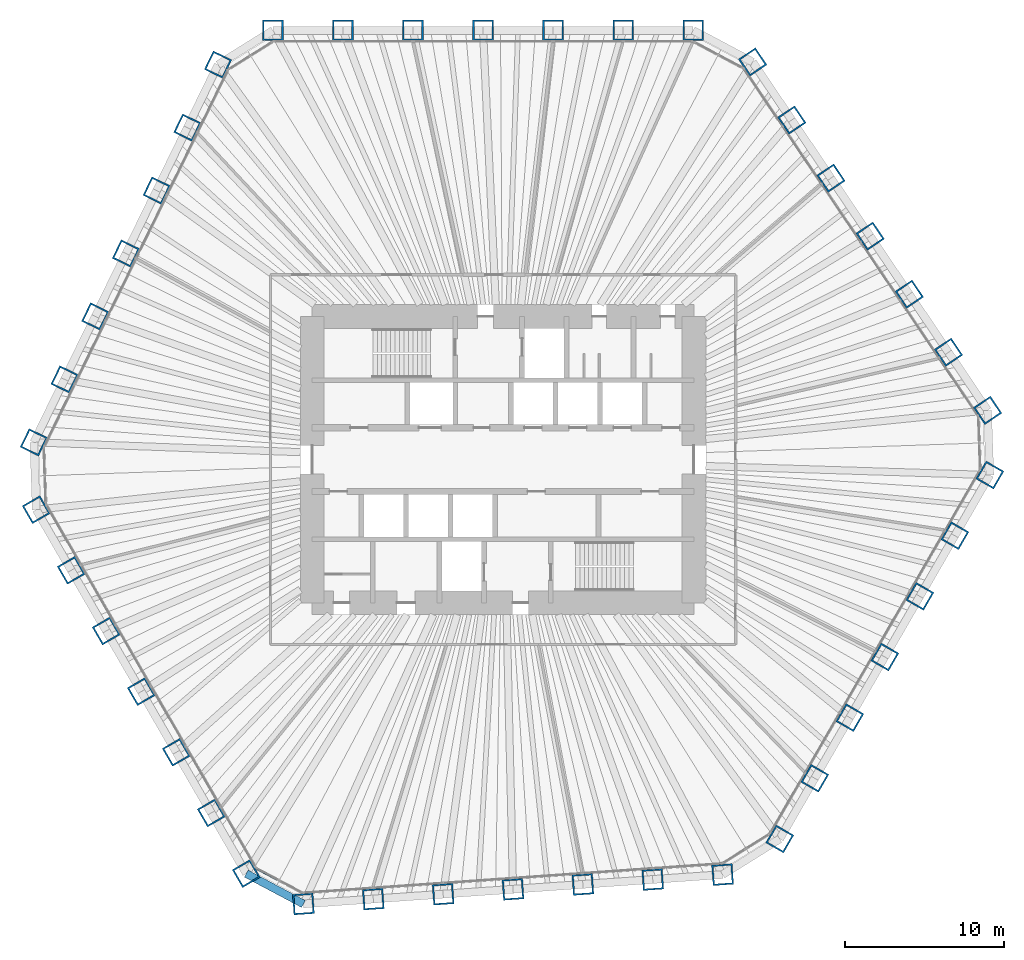
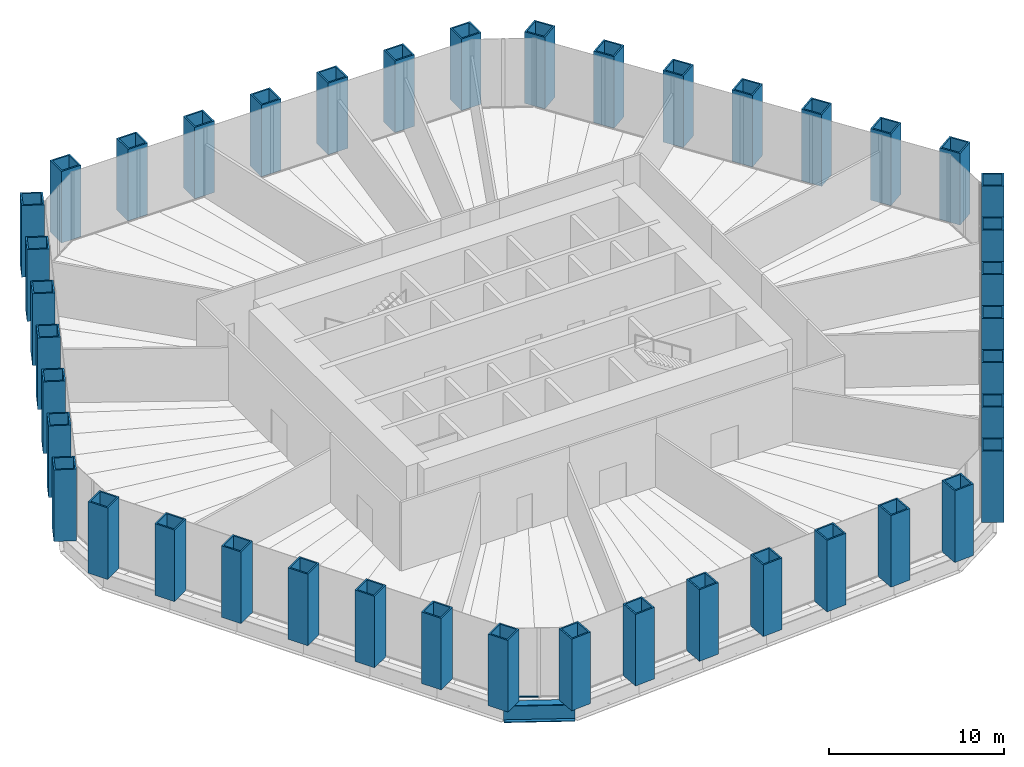
# One storey, part 1 of 13: 42 columns, 1 beam, 1 member, 1 element without a shape of its own.
"""IFC4 building model written with IfcOpenShell, lengths in metres."""

from ifc_helpers import new_model, si_unit, direction, frame, origin, origin_2d, place, context, subcontext, project, spatial, rectangle, hollow_rectangle, i_section, extrude, material, material_profile, profile_set, type_object, element, aggregate, save


model = new_model("IFC4")

# Units and contexts
model_context = context("Model", 3, precision=1e-05, world=origin(), true_north=direction((0.0, 1.0)))
body_context = subcontext(model_context, "Body", "Model", "MODEL_VIEW")
ifc_project = project(units=[si_unit("LENGTHUNIT", "METRE"), si_unit("AREAUNIT", "SQUARE_METRE"), si_unit("VOLUMEUNIT", "CUBIC_METRE"), si_unit("PLANEANGLEUNIT", "RADIAN"), si_unit("MASSUNIT", "GRAM", prefix="KILO")], contexts=[model_context])

# Site, building, storey
site_placement = place(None, origin())
site = spatial("IfcSite", under=ifc_project, at=site_placement, CompositionType="ELEMENT")
building_placement = place(site_placement, origin())
building = spatial("IfcBuilding", under=site, at=building_placement, Name="Qingtian Harvest Tower", CompositionType="ELEMENT")
storey_placement = place(building_placement, frame((0.0, 0.0, 72.0)))
storey = spatial("IfcBuildingStorey", under=building, at=storey_placement, Name="L14", CompositionType="ELEMENT", Elevation=72.0)

# Columns
ifc_material_1 = material(Name="Steel SM570MC", Category="steel")
ifc_material_profile_1 = material_profile(ifc_material_1, hollow_rectangle(XDim=1.300048828125, YDim=1.300048828125, WallThickness=0.10009765625, at=origin_2d()), Name="BOX1300x1300x100")
ifc_profile_set_1 = profile_set([ifc_material_profile_1], Name="Steel SM570MC")
column_type = type_object("IfcColumnType", Name="Tube column TC2 BOX1300x1300x100", PredefinedType="COLUMN", material=ifc_profile_set_1)
for number, where, z_axis, x_axis, name in (
    (1, (-14.471435546875, 27.0, 0.0), (0.0, 0.0, 1.0), (-1.0, 0.0, 0.0), "Tube column TC2 N0"),
    (2, (-10.06689453125, 27.0, 0.0), (0.0, 0.0, 1.0), (-1.0, 0.0, 0.0), "Tube column TC2 N1"),
    (3, (-5.662353515625, 27.0, 0.0), (0.0, 0.0, 1.0), (-1.0, 0.0, 0.0), "Tube column TC2 N2"),
    (4, (-1.257568359375, 27.0, 0.0), (0.0, 0.0, 1.0), (-1.0, 0.0, 0.0), "Tube column TC2 N3"),
    (5, (3.14697265625, 27.0, 0.0), (0.0, 0.0, 1.0), (-1.0, 0.0, 0.0), "Tube column TC2 N4"),
    (6, (7.551513671875, 27.0, 0.0), (0.0, 0.0, 1.0), (-1.0, 0.0, 0.0), "Tube column TC2 N5"),
    (7, (11.9560546875, 27.0, 0.0), (0.0, 0.0, 1.0), (-1.0, 0.0, 0.0), "Tube column TC2 N6"),
    (8, (15.6982421875, 25.01025390625, 0.0), (0.0, 0.0, 1.0), (-0.559192903471, 0.829037572555, 0.0), "Tube column TC2 NE0"),
    (9, (18.1611328125, 21.358642578125, 0.0), (0.0, 0.0, 1.0), (-0.559192903471, 0.829037572555, 0.0), "Tube column TC2 NE1"),
    (10, (20.624267578125, 17.70703125, 0.0), (0.0, 0.0, 1.0), (-0.559192903471, 0.829037572555, 0.0), "Tube column TC2 NE2"),
    (11, (23.08740234375, 14.0556640625, 0.0), (0.0, 0.0, 1.0), (-0.559192903471, 0.829037572555, 0.0), "Tube column TC2 NE3"),
    (12, (25.55029296875, 10.404052734375, 0.0), (0.0, 0.0, 1.0), (-0.559192903471, 0.829037572555, 0.0), "Tube column TC2 NE4"),
    (13, (28.013427734375, 6.75244140625, 0.0), (0.0, 0.0, 1.0), (-0.559192903471, 0.829037572555, 0.0), "Tube column TC2 NE5"),
    (14, (30.476318359375, 3.100830078125, 0.0), (0.0, 0.0, 1.0), (-0.559192903471, 0.829037572555, 0.0), "Tube column TC2 NE6"),
    (15, (30.618408203125, -0.96728515625, 0.0), (0.0, 0.0, 1.0), (0.5, 0.866025403784, 0.0), "Tube column TC2 SE0"),
    (16, (28.416015625, -4.78173828125, 0.0), (0.0, 0.0, 1.0), (0.5, 0.866025403784, 0.0), "Tube column TC2 SE1"),
    (17, (26.2138671875, -8.596435546875, 0.0), (0.0, 0.0, 1.0), (0.5, 0.866025403784, 0.0), "Tube column TC2 SE2"),
    (18, (24.011474609375, -12.410888671875, 0.0), (0.0, 0.0, 1.0), (0.5, 0.866025403784, 0.0), "Tube column TC2 SE3"),
    (19, (21.809326171875, -16.225341796875, 0.0), (0.0, 0.0, 1.0), (0.5, 0.866025403784, 0.0), "Tube column TC2 SE4"),
    (20, (19.60693359375, -20.039794921875, 0.0), (0.0, 0.0, 1.0), (0.5, 0.866025403784, 0.0), "Tube column TC2 SE5"),
    (21, (17.404541015625, -23.854248046875, 0.0), (0.0, 0.0, 1.0), (0.5, 0.866025403784, 0.0), "Tube column TC2 SE6"),
    (22, (13.810546875, -26.10009765625, 0.0), (0.0, 0.0, 1.0), (0.99756405026, 0.069756473744, 0.0), "Tube column TC2 S0"),
    (23, (9.41650390625, -26.407470703125, 0.0), (0.0, 0.0, 1.0), (0.99756405026, 0.069756473744, 0.0), "Tube column TC2 S1"),
    (24, (5.022705078125, -26.714599609375, 0.0), (0.0, 0.0, 1.0), (0.99756405026, 0.069756473744, 0.0), "Tube column TC2 S2"),
    (25, (0.62890625, -27.02197265625, 0.0), (0.0, 0.0, 1.0), (0.99756405026, 0.069756473744, 0.0), "Tube column TC2 S3"),
    (26, (-3.76513671875, -27.3291015625, 0.0), (0.0, 0.0, 1.0), (0.99756405026, 0.069756473744, 0.0), "Tube column TC2 S4"),
    (27, (-8.158935546875, -27.636474609375, 0.0), (0.0, 0.0, 1.0), (0.99756405026, 0.069756473744, 0.0), "Tube column TC2 S5"),
    (28, (-12.552734375, -27.943603515625, 0.0), (0.0, 0.0, 1.0), (0.99756405026, 0.069756473744, 0.0), "Tube column TC2 S6"),
    (29, (-16.14697265625, -26.03271484375, 0.0), (0.0, 0.0, 1.0), (0.5, -0.866025403784, 0.0), "Tube column TC2 SW0"),
    (30, (-18.349365234375, -22.21826171875, 0.0), (0.0, 0.0, 1.0), (0.5, -0.866025403784, 0.0), "Tube column TC2 SW1"),
    (31, (-20.551513671875, -18.403564453125, 0.0), (0.0, 0.0, 1.0), (0.5, -0.866025403784, 0.0), "Tube column TC2 SW2"),
    (32, (-22.75390625, -14.589111328125, 0.0), (0.0, 0.0, 1.0), (0.5, -0.866025403784, 0.0), "Tube column TC2 SW3"),
    (33, (-24.9560546875, -10.774658203125, 0.0), (0.0, 0.0, 1.0), (0.5, -0.866025403784, 0.0), "Tube column TC2 SW4"),
    (34, (-27.158447265625, -6.960205078125, 0.0), (0.0, 0.0, 1.0), (0.5, -0.866025403784, 0.0), "Tube column TC2 SW5"),
    (35, (-29.36083984375, -3.145751953125, 0.0), (0.0, 0.0, 1.0), (0.5, -0.866025403784, 0.0), "Tube column TC2 SW6"),
    (36, (-29.5087890625, 1.08984375, 0.0), (0.0, 0.0, 1.0), (-0.438371146789, -0.898794046299, 0.0), "Tube column TC2 NW0"),
    (37, (-27.577880859375, 5.048828125, 0.0), (0.0, 0.0, 1.0), (-0.438371146789, -0.898794046299, 0.0), "Tube column TC2 NW1"),
    (38, (-25.64697265625, 9.007568359375, 0.0), (0.0, 0.0, 1.0), (-0.438371146789, -0.898794046299, 0.0), "Tube column TC2 NW2"),
    (39, (-23.716064453125, 12.96630859375, 0.0), (0.0, 0.0, 1.0), (-0.438371146789, -0.898794046299, 0.0), "Tube column TC2 NW3"),
    (40, (-21.78515625, 16.92529296875, 0.0), (0.0, 0.0, 1.0), (-0.438371146789, -0.898794046299, 0.0), "Tube column TC2 NW4"),
    (41, (-19.8544921875, 20.884033203125, 0.0), (0.0, 0.0, 1.0), (-0.438371146789, -0.898794046299, 0.0), "Tube column TC2 NW5"),
    (42, (-17.923583984375, 24.8427734375, 0.0), (0.0, 0.0, 1.0), (-0.438371146789, -0.898794046299, 0.0), "Tube column TC2 NW6"),
):
    element("IfcColumn", number, at=place(storey_placement, frame(where, z_axis=z_axis, x_axis=x_axis)), inside=storey, type_object=column_type, Name=name, PredefinedType="COLUMN", context=body_context, shape_type="SweptSolid", body=[
        extrude(hollow_rectangle(XDim=1.300048828125, YDim=1.300048828125, WallThickness=0.10009765625, at=origin_2d()), origin(), (0.0, 0.0, 1.0), 5.0),
    ])

# Beam
ifc_material_2 = material(Name="Steel SM570MC", Category="steel")
ifc_material_profile_2 = material_profile(ifc_material_2, i_section(OverallWidth=0.5, OverallDepth=1.199951171875, WebThickness=0.02490234375, FlangeThickness=0.050048828125, at=origin_2d()), Name="H1200x500x25x50")
ifc_profile_set_2 = profile_set([ifc_material_profile_2], Name="Steel SM570MC")
beam_type = type_object("IfcBeamType", Name="Spandrel beam SB1 H1200x500x25x50", PredefinedType="SPANDREL", material=ifc_profile_set_2)
beam_placement = place(storey_placement, frame((-12.552734375, -27.943603515625, -0.60009765625), z_axis=(-0.882968133669, 0.469432929101, 0.0), x_axis=(-0.469432929101, -0.882968133669, 0.0)))
element("IfcBeam", 43, at=beam_placement, inside=storey, type_object=beam_type, Name="Spandrel SB1 SC", PredefinedType="SPANDREL", context=body_context, shape_type="SweptSolid", body=[
    extrude(i_section(OverallWidth=0.5, OverallDepth=1.199951171875, WebThickness=0.02490234375, FlangeThickness=0.050048828125, at=origin_2d()), origin(), (0.0, 0.0, 1.0), 4.070556640625),
])

# Curtain wall, member
ifc_material_3 = material(Name="Bronze-anodised aluminium curtain wall", Category="aluminium")
curtain_wall_type = type_object("IfcCurtainWallType", Name="Curtain wall CW2 farm reception", PredefinedType="USERDEFINED", material=ifc_material_3)
curtain_wall_placement = place(storey_placement, origin())
curtain_wall = element("IfcCurtainWall", 44, at=curtain_wall_placement, inside=storey, type_object=curtain_wall_type, Name="Curtain wall CW2 L14 SC", ObjectType="RECESSED CURTAIN WALL", PredefinedType="USERDEFINED")
ifc_material_4 = material(Name="Bronze-anodised aluminium transom", Category="aluminium")
ifc_material_profile_3 = material_profile(ifc_material_4, rectangle(XDim=0.14990234375, YDim=0.06494140625, at=origin_2d()), Name="AL 65x150")
ifc_profile_set_3 = profile_set([ifc_material_profile_3], Name="Bronze-anodised aluminium transom")
member_type = type_object("IfcMemberType", Name="Transom CWT 65x150", PredefinedType="USERDEFINED", material=ifc_profile_set_3)
member_placement = place(storey_placement, frame((-14.099853515625, -26.44873046875, 0.032470703125), z_axis=(-0.882960338349, 0.46944759122, 0.0), x_axis=(-0.46944759122, -0.882960338349, 0.0)))
member = element("IfcMember", 45, at=member_placement, type_object=member_type, Name="CW2 transom 2.1", ObjectType="TRANSOM", PredefinedType="USERDEFINED", context=body_context, shape_type="SweptSolid", body=[
    extrude(rectangle(XDim=0.14990234375, YDim=0.06494140625, at=origin_2d()), origin(), (0.0, 0.0, 1.0), 1.56689453125),
])
aggregate(curtain_wall, [member])

save(model, "model.ifc")
